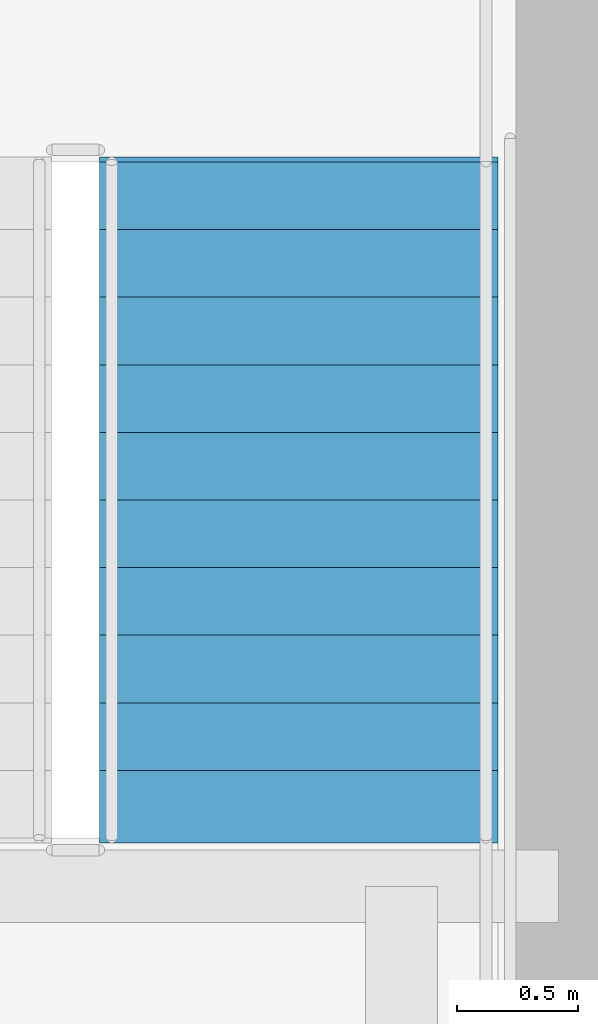
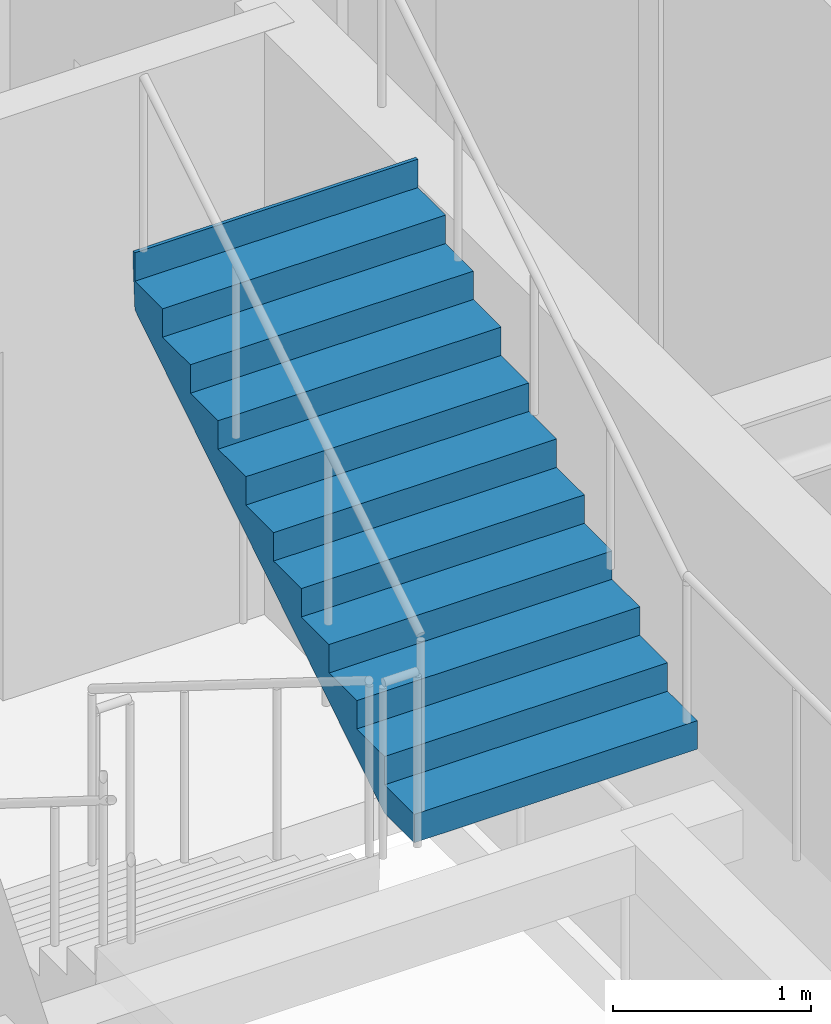
# One storey, part 31 of 36: 1 stair flight, 1 element without a shape of its own.
"""IFC4 building model written with IfcOpenShell, lengths in metres."""

from ifc_helpers import new_model, si_unit, direction, frame, origin, place, context, subcontext, project, spatial, polygons, material, type_object, element, aggregate, save


model = new_model("IFC4")

# Units and contexts
model_context = context("Model", 3, precision=1e-05, world=origin(), true_north=direction((0.0, 1.0)))
body_context = subcontext(model_context, "Body", "Model", "MODEL_VIEW")
ifc_project = project(units=[si_unit("LENGTHUNIT", "METRE"), si_unit("AREAUNIT", "SQUARE_METRE"), si_unit("VOLUMEUNIT", "CUBIC_METRE"), si_unit("PLANEANGLEUNIT", "RADIAN"), si_unit("MASSUNIT", "GRAM", prefix="KILO")], contexts=[model_context])

# Site, building, storey
site_placement = place(None, origin())
site = spatial("IfcSite", under=ifc_project, at=site_placement, CompositionType="ELEMENT")
building_placement = place(site_placement, origin())
building = spatial("IfcBuilding", under=site, at=building_placement, Name="Serunith Strait Residences", CompositionType="ELEMENT")
storey_placement = place(building_placement, frame((0.0, 0.0, 272.050048828125)))
storey = spatial("IfcBuildingStorey", under=building, at=storey_placement, Name="L68", CompositionType="ELEMENT", Elevation=272.050048828125)

# Stair, stair flight
ifc_material = material(Name="Concrete C50/60", Category="concrete")
stair_type = type_object("IfcStairType", Name="STR-CORE-2", PredefinedType="HALF_TURN_STAIR", material=ifc_material)
stair_placement = place(storey_placement, origin())
stair = element("IfcStair", 1, at=stair_placement, inside=storey, type_object=stair_type, Name="L68 Protected Escape Stair ST-2", PredefinedType="HALF_TURN_STAIR")
stair_flight_type = type_object("IfcStairFlightType", Name="FLT-CORE-2", PredefinedType="STRAIGHT", material=ifc_material)
stair_flight_placement = place(storey_placement, frame((40.324951171875, 20.570068359375, 1.925048828125), z_axis=(0.0, 0.0, 1.0), x_axis=(0.0, 1.0, 0.0)))
stair_flight = element("IfcStairFlight", 2, at=stair_flight_placement, type_object=stair_flight_type, Name="ST-2 flight 2", NumberOfRisers=11, NumberOfTreads=10, PredefinedType="STRAIGHT", RiserHeight=0.175, TreadLength=0.28, context=body_context, shape_type="Tessellation", body=[
    polygons([(-0.02001953125, -0.824951171875, 0.0), (-0.02001953125, -0.824951171875, 0.175048828125), (0.280029296875, -0.824951171875, 0.175048828125), (0.280029296875, -0.824951171875, 0.35009765625), (0.56005859375, -0.824951171875, 0.35009765625), (0.56005859375, -0.824951171875, 0.52490234375), (0.840087890625, -0.824951171875, 0.52490234375), (0.840087890625, -0.824951171875, 0.699951171875), (1.1201171875, -0.824951171875, 0.699951171875), (1.1201171875, -0.824951171875, 0.875), (1.39990234375, -0.824951171875, 0.875), (1.39990234375, -0.824951171875, 1.050048828125), (1.679931640625, -0.824951171875, 1.050048828125), (1.679931640625, -0.824951171875, 1.22509765625), (1.9599609375, -0.824951171875, 1.22509765625), (1.9599609375, -0.824951171875, 1.39990234375), (2.239990234375, -0.824951171875, 1.39990234375), (2.239990234375, -0.824951171875, 1.574951171875), (2.52001953125, -0.824951171875, 1.574951171875), (2.52001953125, -0.824951171875, 1.75), (2.800048828125, -0.824951171875, 1.75), (2.800048828125, -0.824951171875, 1.925048828125), (2.820068359375, -0.824951171875, 1.925048828125), (2.820068359375, -0.824951171875, 1.864990234375), (2.800048828125, -0.824951171875, 1.5732421875), (0.28271484375, -0.824951171875, 0.0), (-0.02001953125, -0.41259765625, 0.0), (-0.02001953125, -0.41259765625, 0.175048828125), (0.280029296875, -0.41259765625, 0.175048828125), (0.280029296875, -0.41259765625, 0.35009765625), (0.56005859375, -0.41259765625, 0.35009765625), (0.56005859375, -0.41259765625, 0.52490234375), (0.840087890625, -0.41259765625, 0.52490234375), (0.840087890625, -0.41259765625, 0.699951171875), (1.1201171875, -0.41259765625, 0.699951171875), (1.1201171875, -0.41259765625, 0.875), (1.39990234375, -0.41259765625, 0.875), (1.39990234375, -0.41259765625, 1.050048828125), (1.679931640625, -0.41259765625, 1.050048828125), (1.679931640625, -0.41259765625, 1.22509765625), (1.9599609375, -0.41259765625, 1.22509765625), (1.9599609375, -0.41259765625, 1.39990234375), (2.239990234375, -0.41259765625, 1.39990234375), (2.239990234375, -0.41259765625, 1.574951171875), (2.52001953125, -0.41259765625, 1.574951171875), (2.52001953125, -0.41259765625, 1.75), (2.800048828125, -0.41259765625, 1.75), (2.800048828125, -0.41259765625, 1.925048828125), (2.820068359375, -0.41259765625, 1.925048828125), (2.820068359375, -0.41259765625, 1.864990234375), (2.800048828125, -0.41259765625, 1.5732421875), (0.28271484375, -0.41259765625, 0.0), (-0.02001953125, 0.0, 0.0), (-0.02001953125, 0.0, 0.175048828125), (0.280029296875, 0.0, 0.175048828125), (0.280029296875, 0.0, 0.35009765625), (0.56005859375, 0.0, 0.35009765625), (0.56005859375, 0.0, 0.52490234375), (0.840087890625, 0.0, 0.52490234375), (0.840087890625, 0.0, 0.699951171875), (1.1201171875, 0.0, 0.699951171875), (1.1201171875, 0.0, 0.875), (1.39990234375, 0.0, 0.875), (1.39990234375, 0.0, 1.050048828125), (1.679931640625, 0.0, 1.050048828125), (1.679931640625, 0.0, 1.22509765625), (1.9599609375, 0.0, 1.22509765625), (1.9599609375, 0.0, 1.39990234375), (2.239990234375, 0.0, 1.39990234375), (2.239990234375, 0.0, 1.574951171875), (2.52001953125, 0.0, 1.574951171875), (2.52001953125, 0.0, 1.75), (2.800048828125, 0.0, 1.75), (2.800048828125, 0.0, 1.925048828125), (2.820068359375, 0.0, 1.925048828125), (2.820068359375, 0.0, 1.864990234375), (2.800048828125, 0.0, 1.5732421875), (0.28271484375, 0.0, 0.0), (-0.02001953125, 0.41259765625, 0.0), (-0.02001953125, 0.41259765625, 0.175048828125), (0.280029296875, 0.41259765625, 0.175048828125), (0.280029296875, 0.41259765625, 0.35009765625), (0.56005859375, 0.41259765625, 0.35009765625), (0.56005859375, 0.41259765625, 0.52490234375), (0.840087890625, 0.41259765625, 0.52490234375), (0.840087890625, 0.41259765625, 0.699951171875), (1.1201171875, 0.41259765625, 0.699951171875), (1.1201171875, 0.41259765625, 0.875), (1.39990234375, 0.41259765625, 0.875), (1.39990234375, 0.41259765625, 1.050048828125), (1.679931640625, 0.41259765625, 1.050048828125), (1.679931640625, 0.41259765625, 1.22509765625), (1.9599609375, 0.41259765625, 1.22509765625), (1.9599609375, 0.41259765625, 1.39990234375), (2.239990234375, 0.41259765625, 1.39990234375), (2.239990234375, 0.41259765625, 1.574951171875), (2.52001953125, 0.41259765625, 1.574951171875), (2.52001953125, 0.41259765625, 1.75), (2.800048828125, 0.41259765625, 1.75), (2.800048828125, 0.41259765625, 1.925048828125), (2.820068359375, 0.41259765625, 1.925048828125), (2.820068359375, 0.41259765625, 1.864990234375), (2.800048828125, 0.41259765625, 1.5732421875), (0.28271484375, 0.41259765625, 0.0), (-0.02001953125, 0.824951171875, 0.0), (-0.02001953125, 0.824951171875, 0.175048828125), (0.280029296875, 0.824951171875, 0.175048828125), (0.280029296875, 0.824951171875, 0.35009765625), (0.56005859375, 0.824951171875, 0.35009765625), (0.56005859375, 0.824951171875, 0.52490234375), (0.840087890625, 0.824951171875, 0.52490234375), (0.840087890625, 0.824951171875, 0.699951171875), (1.1201171875, 0.824951171875, 0.699951171875), (1.1201171875, 0.824951171875, 0.875), (1.39990234375, 0.824951171875, 0.875), (1.39990234375, 0.824951171875, 1.050048828125), (1.679931640625, 0.824951171875, 1.050048828125), (1.679931640625, 0.824951171875, 1.22509765625), (1.9599609375, 0.824951171875, 1.22509765625), (1.9599609375, 0.824951171875, 1.39990234375), (2.239990234375, 0.824951171875, 1.39990234375), (2.239990234375, 0.824951171875, 1.574951171875), (2.52001953125, 0.824951171875, 1.574951171875), (2.52001953125, 0.824951171875, 1.75), (2.800048828125, 0.824951171875, 1.75), (2.800048828125, 0.824951171875, 1.925048828125), (2.820068359375, 0.824951171875, 1.925048828125), (2.820068359375, 0.824951171875, 1.864990234375), (2.800048828125, 0.824951171875, 1.5732421875), (0.28271484375, 0.824951171875, 0.0)], [[[1, 2, 28, 27]], [[2, 3, 29, 28]], [[3, 4, 30, 29]], [[4, 5, 31, 30]], [[5, 6, 32, 31]], [[6, 7, 33, 32]], [[7, 8, 34, 33]], [[8, 9, 35, 34]], [[9, 10, 36, 35]], [[10, 11, 37, 36]], [[11, 12, 38, 37]], [[12, 13, 39, 38]], [[13, 14, 40, 39]], [[14, 15, 41, 40]], [[15, 16, 42, 41]], [[16, 17, 43, 42]], [[17, 18, 44, 43]], [[18, 19, 45, 44]], [[19, 20, 46, 45]], [[20, 21, 47, 46]], [[21, 22, 48, 47]], [[22, 23, 49, 48]], [[23, 24, 50, 49]], [[24, 25, 51, 50]], [[25, 26, 52, 51]], [[26, 1, 27, 52]], [[27, 28, 54, 53]], [[28, 29, 55, 54]], [[29, 30, 56, 55]], [[30, 31, 57, 56]], [[31, 32, 58, 57]], [[32, 33, 59, 58]], [[33, 34, 60, 59]], [[34, 35, 61, 60]], [[35, 36, 62, 61]], [[36, 37, 63, 62]], [[37, 38, 64, 63]], [[38, 39, 65, 64]], [[39, 40, 66, 65]], [[40, 41, 67, 66]], [[41, 42, 68, 67]], [[42, 43, 69, 68]], [[43, 44, 70, 69]], [[44, 45, 71, 70]], [[45, 46, 72, 71]], [[46, 47, 73, 72]], [[47, 48, 74, 73]], [[48, 49, 75, 74]], [[49, 50, 76, 75]], [[50, 51, 77, 76]], [[51, 52, 78, 77]], [[52, 27, 53, 78]], [[53, 54, 80, 79]], [[54, 55, 81, 80]], [[55, 56, 82, 81]], [[56, 57, 83, 82]], [[57, 58, 84, 83]], [[58, 59, 85, 84]], [[59, 60, 86, 85]], [[60, 61, 87, 86]], [[61, 62, 88, 87]], [[62, 63, 89, 88]], [[63, 64, 90, 89]], [[64, 65, 91, 90]], [[65, 66, 92, 91]], [[66, 67, 93, 92]], [[67, 68, 94, 93]], [[68, 69, 95, 94]], [[69, 70, 96, 95]], [[70, 71, 97, 96]], [[71, 72, 98, 97]], [[72, 73, 99, 98]], [[73, 74, 100, 99]], [[74, 75, 101, 100]], [[75, 76, 102, 101]], [[76, 77, 103, 102]], [[77, 78, 104, 103]], [[78, 53, 79, 104]], [[79, 80, 106, 105]], [[80, 81, 107, 106]], [[81, 82, 108, 107]], [[82, 83, 109, 108]], [[83, 84, 110, 109]], [[84, 85, 111, 110]], [[85, 86, 112, 111]], [[86, 87, 113, 112]], [[87, 88, 114, 113]], [[88, 89, 115, 114]], [[89, 90, 116, 115]], [[90, 91, 117, 116]], [[91, 92, 118, 117]], [[92, 93, 119, 118]], [[93, 94, 120, 119]], [[94, 95, 121, 120]], [[95, 96, 122, 121]], [[96, 97, 123, 122]], [[97, 98, 124, 123]], [[98, 99, 125, 124]], [[99, 100, 126, 125]], [[100, 101, 127, 126]], [[101, 102, 128, 127]], [[102, 103, 129, 128]], [[103, 104, 130, 129]], [[104, 79, 105, 130]], [[26, 25, 24, 23, 22, 21, 20, 19, 18, 17, 16, 15, 14, 13, 12, 11, 10, 9, 8, 7, 6, 5, 4, 3, 2, 1]], [[105, 106, 107, 108, 109, 110, 111, 112, 113, 114, 115, 116, 117, 118, 119, 120, 121, 122, 123, 124, 125, 126, 127, 128, 129, 130]]], closed=True),
])
aggregate(stair, [stair_flight])

save(model, "model.ifc")
